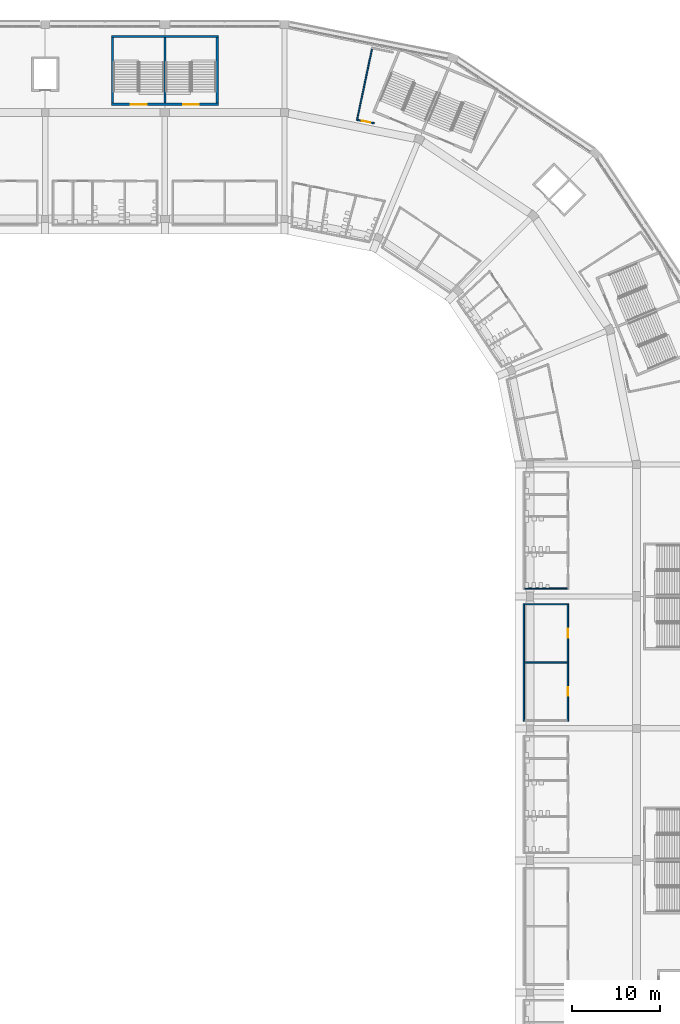
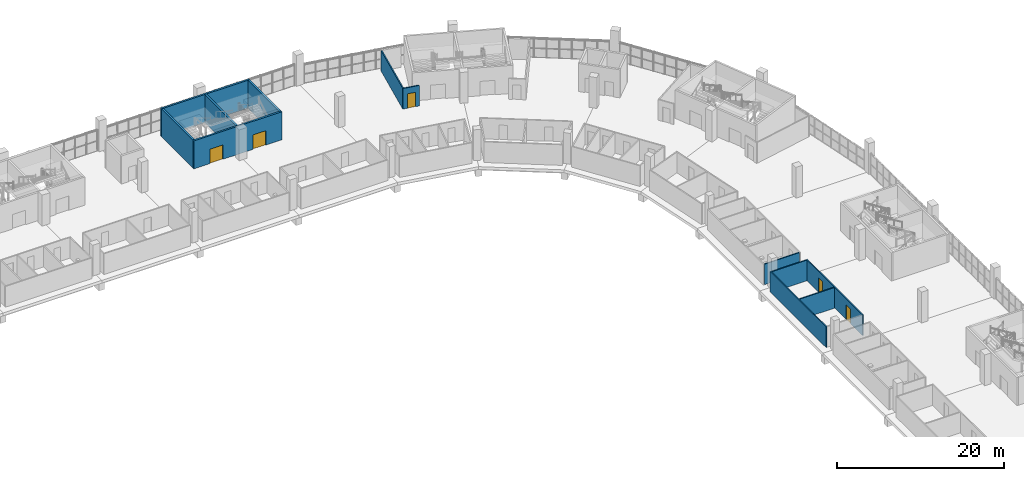
# One storey, part 88 of 199: 12 walls, 5 doors, 5 openings.
"""IFC4 building model written with IfcOpenShell, lengths in metres."""

from ifc_helpers import new_model, si_unit, direction, frame, frame_2d, origin, place, context, subcontext, project, spatial, rectangle, extrude, material, layer, layer_set, type_object, element, fill, save


model = new_model("IFC4")

# Units and contexts
model_context = context("Model", 3, precision=1e-05, world=origin(), true_north=direction((0.0, 1.0)))
body_context = subcontext(model_context, "Body", "Model", "MODEL_VIEW")
ifc_project = project(units=[si_unit("LENGTHUNIT", "METRE"), si_unit("AREAUNIT", "SQUARE_METRE"), si_unit("VOLUMEUNIT", "CUBIC_METRE"), si_unit("PLANEANGLEUNIT", "RADIAN"), si_unit("MASSUNIT", "GRAM", prefix="KILO")], contexts=[model_context])

# Site, building, storey
site_placement = place(None, origin())
site = spatial("IfcSite", under=ifc_project, at=site_placement, CompositionType="ELEMENT")
building_placement = place(site_placement, origin())
building = spatial("IfcBuilding", under=site, at=building_placement, Name="Ogive Plaza Stadium", CompositionType="ELEMENT")
storey_placement = place(building_placement, frame((0.0, 0.0, 4.5)))
storey = spatial("IfcBuildingStorey", under=building, at=storey_placement, Name="L01", CompositionType="ELEMENT", Elevation=4.5)

# Wall
ifc_material_1 = material(Name="Masonry blockwork", Category="masonry")
ifc_layer_1 = layer(ifc_material_1, 0.14990234375)
ifc_layer_set_1 = layer_set([ifc_layer_1], Name="Blockwork wall 150")
wall_type_1 = type_object("IfcWallType", Name="Blockwork wall 150", PredefinedType="SOLIDWALL", material=ifc_layer_set_1)
wall_1_placement = place(storey_placement, frame((61.199951171875, 36.675048828125, 0.0), z_axis=(0.0, 0.0, 1.0), x_axis=(0.0, -1.0, 0.0)))
element("IfcWall", 1, at=wall_1_placement, inside=storey, type_object=wall_type_1, Name="Wall L01 B02", PredefinedType="SOLIDWALL", context=body_context, shape_type="SweptSolid", body=[
    extrude(rectangle(XDim=13.35009765625, YDim=0.14990234375, at=frame_2d((6.675048828125, 0.0))), origin(), (0.0, 0.0, 1.0), 3.0),
])

# Wall, openings, doors
wall_2_placement = place(storey_placement, frame((66.199951171875, 36.675048828125, 0.0), z_axis=(0.0, 0.0, 1.0), x_axis=(0.0, -1.0, 0.0)))
wall_2 = element("IfcWall", 2, at=wall_2_placement, inside=storey, type_object=wall_type_1, Name="Wall L01 B02", PredefinedType="SOLIDWALL", context=body_context, shape_type="SweptSolid", body=[
    extrude(rectangle(XDim=13.35009765625, YDim=0.14990234375, at=frame_2d((6.675048828125, 0.0))), origin(), (0.0, 0.0, 1.0), 3.0),
])
opening_1_placement = place(wall_2_placement, frame((2.875, 0.0, 0.0)))
opening_1 = element("IfcOpeningElement", 3, at=opening_1_placement, cuts=wall_2, Name="Opening D0473", PredefinedType="OPENING", context=body_context, shape_type="SweptSolid", body=[
    extrude(rectangle(XDim=1.0, YDim=2.10009765625, at=frame_2d((0.5, 1.050048828125))), frame((0.0, 0.074951171875, 0.0), z_axis=(0.0, -1.0, 0.0), x_axis=(1.0, 0.0, 0.0)), (0.0, 0.0, 1.0), 0.14990234375),
])
opening_2_placement = place(wall_2_placement, frame((9.47509765625, 0.0, 0.0)))
opening_2 = element("IfcOpeningElement", 4, at=opening_2_placement, cuts=wall_2, Name="Opening D0474", PredefinedType="OPENING", context=body_context, shape_type="SweptSolid", body=[
    extrude(rectangle(XDim=1.0, YDim=2.10009765625, at=frame_2d((0.5, 1.050048828125))), frame((0.0, 0.074951171875, 0.0), z_axis=(0.0, -1.0, 0.0), x_axis=(1.0, 0.0, 0.0)), (0.0, 0.0, 1.0), 0.14990234375),
])
ifc_material_2 = material(Name="Steel ASTM A572 Grade 50", Category="steel")
door_type_1 = type_object("IfcDoorType", Name="Door 1000 x 2100", OperationType="SINGLE_SWING_LEFT", PredefinedType="DOOR", material=ifc_material_2)
door_1_placement = place(opening_1_placement, origin())
door_1 = element("IfcDoor", 5, at=door_1_placement, inside=storey, type_object=door_type_1, Name="Club Bar B02 door", OperationType="SINGLE_SWING_RIGHT", OverallHeight=2.10009765625, OverallWidth=1.0, PredefinedType="DOOR", context=body_context, shape_type="SweptSolid", body=[
    extrude(rectangle(XDim=1.0, YDim=2.10009765625, at=frame_2d((0.5, 1.050048828125))), frame((0.0, 0.02490234375, 0.0), z_axis=(0.0, -1.0, 0.0), x_axis=(1.0, 0.0, 0.0)), (0.0, 0.0, 1.0), 0.050048828125),
])
fill(opening_1, door_1)
ifc_material_3 = material(Name="Steel ASTM A572 Grade 50", Category="steel")
door_type_2 = type_object("IfcDoorType", Name="Fire door FD60 1000 x 2100", OperationType="SINGLE_SWING_LEFT", PredefinedType="DOOR", material=ifc_material_3)
door_2_placement = place(opening_2_placement, origin())
door_2 = element("IfcDoor", 6, at=door_2_placement, inside=storey, type_object=door_type_2, Name="Club Kitchen B02 door", OperationType="SINGLE_SWING_LEFT", OverallHeight=2.10009765625, OverallWidth=1.0, PredefinedType="DOOR", context=body_context, shape_type="SweptSolid", body=[
    extrude(rectangle(XDim=1.0, YDim=2.10009765625, at=frame_2d((0.5, 1.050048828125))), frame((0.0, 0.02490234375, 0.0), z_axis=(0.0, -1.0, 0.0), x_axis=(1.0, 0.0, 0.0)), (0.0, 0.0, 1.0), 0.050048828125),
])
fill(opening_2, door_2)

# Walls
for number, where, z_axis, x_axis, name in (
    (7, (61.27490234375, 36.60009765625, 0.0), (0.0, 0.0, 1.0), (1.0, 0.0, 0.0), "Wall L01 B02"),
    (8, (61.27490234375, 30.0, 0.0), (0.0, 0.0, 1.0), (1.0, 0.0, 0.0), "Wall L01 B02"),
):
    element("IfcWall", number, at=place(storey_placement, frame(where, z_axis=z_axis, x_axis=x_axis)), inside=storey, type_object=wall_type_1, Name=name, PredefinedType="SOLIDWALL", context=body_context, shape_type="SweptSolid", body=[
        extrude(rectangle(XDim=4.85009765625, YDim=0.14990234375, at=frame_2d((2.425048828125, 0.0))), origin(), (0.0, 0.0, 1.0), 3.0),
    ])

# Wall, opening, door
wall_3_placement = place(storey_placement, frame((44.21728515625, 91.267578125, 0.0), z_axis=(0.0, 0.0, 1.0), x_axis=(-0.980769797582, 0.195168143279, 0.0)))
wall_3 = element("IfcWall", 9, at=wall_3_placement, inside=storey, type_object=wall_type_1, Name="Wall L01 B37", PredefinedType="SOLIDWALL", context=body_context, shape_type="SweptSolid", body=[
    extrude(rectangle(XDim=2.080322265625, YDim=0.14990234375, at=frame_2d((1.0400390625, 0.0))), origin(), (0.0, 0.0, 1.0), 3.0),
])
opening_3_placement = place(wall_3_placement, frame((0.47216796875, 0.0, 0.0)))
opening_3 = element("IfcOpeningElement", 10, at=opening_3_placement, cuts=wall_3, Name="Opening D0593", PredefinedType="OPENING", context=body_context, shape_type="SweptSolid", body=[
    extrude(rectangle(XDim=1.0, YDim=2.10009765625, at=frame_2d((0.5, 1.050048828125))), frame((0.0, 0.074951171875, 0.0), z_axis=(0.0, -1.0, 0.0), x_axis=(1.0, 0.0, 0.0)), (0.0, 0.0, 1.0), 0.14990234375),
])
door_3_placement = place(opening_3_placement, origin())
door_3 = element("IfcDoor", 11, at=door_3_placement, inside=storey, type_object=door_type_1, Name="Club Servery B37 door", OperationType="SINGLE_SWING_RIGHT", OverallHeight=2.10009765625, OverallWidth=1.0, PredefinedType="DOOR", context=body_context, shape_type="SweptSolid", body=[
    extrude(rectangle(XDim=1.0, YDim=2.10009765625, at=frame_2d((0.5, 1.050048828125))), frame((0.0, 0.02490234375, 0.0), z_axis=(0.0, -1.0, 0.0), x_axis=(1.0, 0.0, 0.0)), (0.0, 0.0, 1.0), 0.050048828125),
])
fill(opening_3, door_3)

# Wall
wall_4_placement = place(storey_placement, frame((42.2587890625, 91.732177734375, 0.0), z_axis=(0.0, 0.0, 1.0), x_axis=(0.206011983374, 0.978549468707, 0.0)))
element("IfcWall", 12, at=wall_4_placement, inside=storey, type_object=wall_type_1, Name="Wall L01 B37", PredefinedType="SOLIDWALL", context=body_context, shape_type="SweptSolid", body=[
    extrude(rectangle(XDim=8.190185546875, YDim=0.14990234375, at=frame_2d((4.09521484375, 0.0))), origin(), (0.0, 0.0, 1.0), 3.0),
])

# Wall, openings, doors
ifc_material_4 = material(Name="Concrete C40/50", Category="concrete")
ifc_layer_2 = layer(ifc_material_4, 0.25)
ifc_layer_set_2 = layer_set([ifc_layer_2], Name="Concrete C40/50")
wall_type_2 = type_object("IfcWallType", Name="Core wall 250", PredefinedType="SHEAR", material=ifc_layer_set_2)
wall_5_placement = place(storey_placement, frame((26.47509765625, 93.425048828125, 0.0), z_axis=(0.0, 0.0, 1.0), x_axis=(-1.0, 0.0, 0.0)))
wall_5 = element("IfcWall", 13, at=wall_5_placement, inside=storey, type_object=wall_type_2, Name="Stair core R36 inner wall", PredefinedType="SHEAR", context=body_context, shape_type="SweptSolid", body=[
    extrude(rectangle(XDim=12.150146484375, YDim=0.25, at=frame_2d((6.0751953125, 0.0))), origin(), (0.0, 0.0, 1.0), 4.090087890625),
])
opening_4_placement = place(wall_5_placement, frame((2.199951171875, 0.0, 0.0)))
opening_4 = element("IfcOpeningElement", 14, at=opening_4_placement, cuts=wall_5, Name="Opening D0263", PredefinedType="OPENING", context=body_context, shape_type="SweptSolid", body=[
    extrude(rectangle(XDim=1.800048828125, YDim=2.10009765625, at=frame_2d((0.89990234375, 1.050048828125))), frame((0.0, 0.125, 0.0), z_axis=(0.0, -1.0, 0.0), x_axis=(1.0, 0.0, 0.0)), (0.0, 0.0, 1.0), 0.25),
])
opening_5_placement = place(wall_5_placement, frame((8.14990234375, 0.0, 0.0)))
opening_5 = element("IfcOpeningElement", 15, at=opening_5_placement, cuts=wall_5, Name="Opening D0264", PredefinedType="OPENING", context=body_context, shape_type="SweptSolid", body=[
    extrude(rectangle(XDim=1.800048828125, YDim=2.10009765625, at=frame_2d((0.89990234375, 1.050048828125))), frame((0.0, 0.125, 0.0), z_axis=(0.0, -1.0, 0.0), x_axis=(1.0, 0.0, 0.0)), (0.0, 0.0, 1.0), 0.25),
])
ifc_material_5 = material(Name="Steel ASTM A572 Grade 50", Category="steel")
door_type_3 = type_object("IfcDoorType", Name="Fire door FD90 pair 1800 x 2100", OperationType="DOUBLE_DOOR_SINGLE_SWING", PredefinedType="DOOR", material=ifc_material_5)
door_4_placement = place(opening_4_placement, origin())
door_4 = element("IfcDoor", 16, at=door_4_placement, inside=storey, type_object=door_type_3, Name="Exit stair R36A door L01", OperationType="DOUBLE_DOOR_SINGLE_SWING", OverallHeight=2.10009765625, OverallWidth=1.800048828125, PredefinedType="DOOR", context=body_context, shape_type="SweptSolid", body=[
    extrude(rectangle(XDim=1.800048828125, YDim=2.10009765625, at=frame_2d((0.89990234375, 1.050048828125))), frame((0.0, 0.02490234375, 0.0), z_axis=(0.0, -1.0, 0.0), x_axis=(1.0, 0.0, 0.0)), (0.0, 0.0, 1.0), 0.050048828125),
])
fill(opening_4, door_4)
door_5_placement = place(opening_5_placement, origin())
door_5 = element("IfcDoor", 17, at=door_5_placement, inside=storey, type_object=door_type_3, Name="Exit stair R36B door L01", OperationType="DOUBLE_DOOR_SINGLE_SWING", OverallHeight=2.10009765625, OverallWidth=1.800048828125, PredefinedType="DOOR", context=body_context, shape_type="SweptSolid", body=[
    extrude(rectangle(XDim=1.800048828125, YDim=2.10009765625, at=frame_2d((0.89990234375, 1.050048828125))), frame((0.0, 0.02490234375, 0.0), z_axis=(0.0, -1.0, 0.0), x_axis=(1.0, 0.0, 0.0)), (0.0, 0.0, 1.0), 0.050048828125),
])
fill(opening_5, door_5)

# Walls
wall_6_placement = place(storey_placement, frame((26.47509765625, 101.135009765625, 0.0), z_axis=(0.0, 0.0, 1.0), x_axis=(-1.0, 0.0, 0.0)))
element("IfcWall", 18, at=wall_6_placement, inside=storey, type_object=wall_type_2, Name="Stair core R36 outer wall", PredefinedType="SHEAR", context=body_context, shape_type="SweptSolid", body=[
    extrude(rectangle(XDim=12.150146484375, YDim=0.25, at=frame_2d((6.0751953125, 0.0))), origin(), (0.0, 0.0, 1.0), 4.090087890625),
])
for number, where, z_axis, x_axis, name in (
    (19, (26.35009765625, 93.550048828125, 0.0), (0.0, 0.0, 1.0), (0.0, 1.0, 0.0), "Stair core R36 side wall"),
    (20, (14.449951171875, 93.550048828125, 0.0), (0.0, 0.0, 1.0), (0.0, 1.0, 0.0), "Stair core R36 side wall"),
    (21, (20.39990234375, 93.550048828125, 0.0), (0.0, 0.0, 1.0), (0.0, 1.0, 0.0), "Stair core R36 centre wall"),
):
    element("IfcWall", number, at=place(storey_placement, frame(where, z_axis=z_axis, x_axis=x_axis)), inside=storey, type_object=wall_type_2, Name=name, PredefinedType="SHEAR", context=body_context, shape_type="SweptSolid", body=[
        extrude(rectangle(XDim=7.4599609375, YDim=0.25, at=frame_2d((3.72998046875, 0.0))), origin(), (0.0, 0.0, 1.0), 4.090087890625),
    ])
ifc_material_6 = material(Name="Gypsum board partition", Category="gypsum")
ifc_layer_3 = layer(ifc_material_6, 0.14990234375)
ifc_layer_set_3 = layer_set([ifc_layer_3], Name="Partition 150")
wall_type_3 = type_object("IfcWallType", Name="Partition 150", PredefinedType="PARTITIONING", material=ifc_layer_set_3)
wall_7_placement = place(storey_placement, frame((61.27490234375, 38.39990234375, 0.0), z_axis=(0.0, 0.0, 1.0), x_axis=(1.0, 0.0, 0.0)))
element("IfcWall", 22, at=wall_7_placement, inside=storey, type_object=wall_type_3, Name="Wall L01 B01", PredefinedType="PARTITIONING", context=body_context, shape_type="SweptSolid", body=[
    extrude(rectangle(XDim=4.85009765625, YDim=0.14990234375, at=frame_2d((2.425048828125, 0.0))), origin(), (0.0, 0.0, 1.0), 3.0),
])

save(model, "model.ifc")
